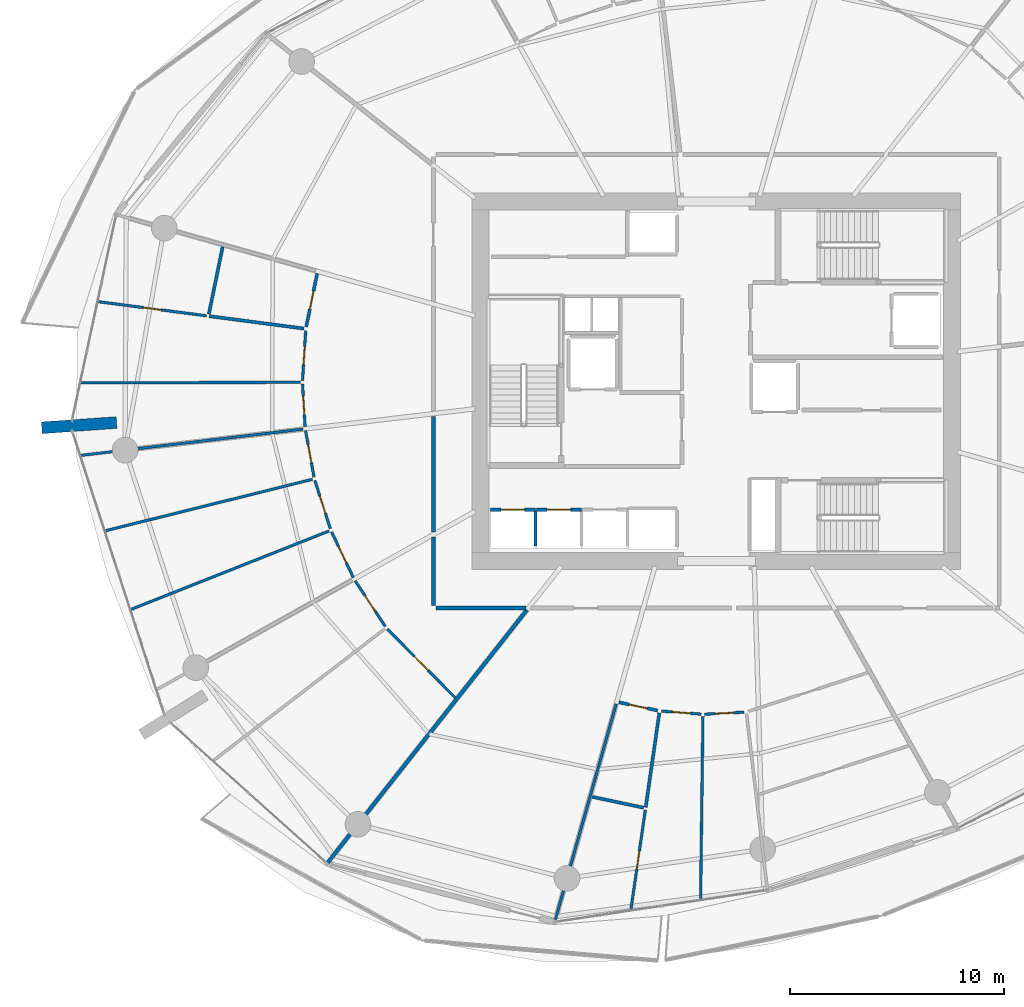
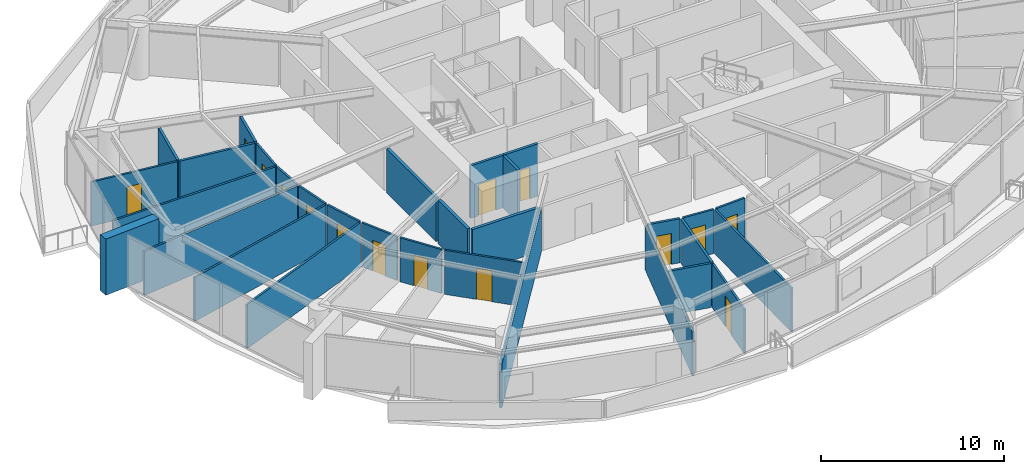
# One storey, part 11 of 23: 31 walls, 15 doors, 15 openings.
"""IFC4 building model written with IfcOpenShell, lengths in metres."""

from ifc_helpers import new_model, si_unit, direction, frame, frame_2d, origin, place, context, subcontext, project, spatial, rectangle, extrude, material, layer, layer_set, type_object, element, fill, save


model = new_model("IFC4")

# Units and contexts
model_context = context("Model", 3, precision=1e-05, world=origin(), true_north=direction((0.0, 1.0)))
body_context = subcontext(model_context, "Body", "Model", "MODEL_VIEW")
ifc_project = project(units=[si_unit("LENGTHUNIT", "METRE"), si_unit("AREAUNIT", "SQUARE_METRE"), si_unit("VOLUMEUNIT", "CUBIC_METRE"), si_unit("PLANEANGLEUNIT", "RADIAN"), si_unit("MASSUNIT", "GRAM", prefix="KILO")], contexts=[model_context])

# Site, building, storey
site_placement = place(None, origin())
site = spatial("IfcSite", under=ifc_project, at=site_placement, CompositionType="ELEMENT")
building_placement = place(site_placement, origin())
building = spatial("IfcBuilding", under=site, at=building_placement, Name="Kazma Halo Residences", CompositionType="ELEMENT")
storey_placement = place(building_placement, frame((0.0, 0.0, 101.39990234375)))
storey = spatial("IfcBuildingStorey", under=building, at=storey_placement, Name="L25", CompositionType="ELEMENT", Elevation=101.39990234375)

# Walls
ifc_material_1 = material(Name="Pale Concrete C60/75", Category="concrete")
ifc_layer_1 = layer(ifc_material_1, 0.550048828125)
ifc_layer_set_1 = layer_set([ifc_layer_1], Name="Pale Concrete C60/75")
wall_type_1 = type_object("IfcWallType", Name="WL-BLADE-550", PredefinedType="SOLIDWALL", material=ifc_layer_set_1)
wall_1_placement = place(storey_placement, frame((20.393798828125, 40.069580078125, 0.0), z_axis=(0.0, 0.0, 1.0), x_axis=(-0.997564163539, -0.069754853754, 0.0)))
element("IfcWall", 1, at=wall_1_placement, inside=storey, type_object=wall_type_1, Name="L25 pale concrete structural blade fin wall BW-02", PredefinedType="SOLIDWALL", context=body_context, shape_type="SweptSolid", body=[
    extrude(rectangle(XDim=3.5, YDim=0.550048828125, at=frame_2d((1.75, 0.0))), origin(), (0.0, 0.0, 1.0), 3.75),
])
ifc_material_2 = material(Name="Acoustic Twin-Stud Gypsum")
ifc_layer_2 = layer(ifc_material_2, 0.179931640625)
ifc_layer_set_2 = layer_set([ifc_layer_2], Name="Acoustic Twin-Stud Gypsum")
wall_type_2 = type_object("IfcWallType", Name="WL-DEM-180", PredefinedType="PARTITIONING", material=ifc_layer_set_2)
wall_2_placement = place(storey_placement, frame((39.575439453125, 31.313720703125, 0.0), z_axis=(0.0, 0.0, 1.0), x_axis=(-0.619083417853, -0.785325233098, 0.0)))
element("IfcWall", 2, at=wall_2_placement, inside=storey, type_object=wall_type_2, Name="L25 apartment demising radial wall 09", PredefinedType="PARTITIONING", context=body_context, shape_type="SweptSolid", body=[
    extrude(rectangle(XDim=15.063232421875, YDim=0.179931640625, at=frame_2d((7.53173828125, 0.0))), origin(), (0.0, 0.0, 1.0), 2.940185546875),
])
wall_3_placement = place(storey_placement, frame((35.199951171875, 40.364990234375, 0.0), z_axis=(0.0, 0.0, 1.0), x_axis=(0.0, -1.0, 0.0)))
element("IfcWall", 3, at=wall_3_placement, inside=storey, type_object=wall_type_2, Name="L25 Apartment 1 inner wall 7", PredefinedType="PARTITIONING", context=body_context, shape_type="SweptSolid", body=[
    extrude(rectangle(XDim=5.413330078125, YDim=0.179931640625, at=frame_2d((2.70654296875, 0.0))), origin(), (0.0, 0.0, 1.0), 2.940185546875),
])
wall_4_placement = place(storey_placement, frame((35.199951171875, 34.711669921875, 0.0), z_axis=(0.0, 0.0, 1.0), x_axis=(0.0, -1.0, 0.0)))
element("IfcWall", 4, at=wall_4_placement, inside=storey, type_object=wall_type_2, Name="L25 Apartment 1 inner wall 8", PredefinedType="PARTITIONING", context=body_context, shape_type="SweptSolid", body=[
    extrude(rectangle(XDim=3.191650390625, YDim=0.179931640625, at=frame_2d((1.595703125, 0.0))), origin(), (0.0, 0.0, 1.0), 2.940185546875),
])
wall_5_placement = place(storey_placement, frame((35.320068359375, 31.39990234375, 0.0), z_axis=(0.0, 0.0, 1.0), x_axis=(1.0, 0.0, 0.0)))
element("IfcWall", 5, at=wall_5_placement, inside=storey, type_object=wall_type_2, Name="L25 Apartment 1 inner wall 8", PredefinedType="PARTITIONING", context=body_context, shape_type="SweptSolid", body=[
    extrude(rectangle(XDim=4.20361328125, YDim=0.179931640625, at=frame_2d((2.101806640625, 0.0))), origin(), (0.0, 0.0, 1.0), 2.940185546875),
])

# Wall, opening, door
ifc_material_3 = material(Name="Fire-Rated Blockwork Masonry", Category="masonry")
ifc_layer_3 = layer(ifc_material_3, 0.199951171875)
ifc_layer_set_3 = layer_set([ifc_layer_3], Name="Fire-Rated Blockwork Masonry")
wall_type_3 = type_object("IfcWallType", Name="WL-FLB-200", PredefinedType="PARTITIONING", material=ifc_layer_set_3)
wall_6_placement = place(storey_placement, frame((37.864990234375, 36.0048828125, 0.0), z_axis=(0.0, 0.0, 1.0), x_axis=(1.0, 0.0, 0.0)))
wall_6 = element("IfcWall", 6, at=wall_6_placement, inside=storey, type_object=wall_type_3, Name="L25 lift shaft PL-01 front wall", PredefinedType="PARTITIONING", context=body_context, shape_type="SweptSolid", body=[
    extrude(rectangle(XDim=2.110107421875, YDim=0.159912109375, at=frame_2d((1.05517578125, 0.0))), origin(), (0.0, 0.0, 1.0), 3.5),
])
opening_1_placement = place(wall_6_placement, frame((0.5048828125, 0.0, 0.0)))
opening_1 = element("IfcOpeningElement", 7, at=opening_1_placement, cuts=wall_6, Name="Opening LD-PL-01", PredefinedType="OPENING", context=body_context, shape_type="SweptSolid", body=[
    extrude(rectangle(XDim=1.10009765625, YDim=2.10009765625, at=frame_2d((0.550048828125, 1.050048828125))), frame((0.0, 0.08984375, 0.0), z_axis=(0.0, -1.0, 0.0), x_axis=(1.0, 0.0, 0.0)), (0.0, 0.0, 1.0), 0.179931640625),
])
ifc_material_4 = material(Name="Stainless Steel Fire-Rated", Category="steel")
door_type_1 = type_object("IfcDoorType", Name="DR-LIFT-SLD-1100", OperationType="DOUBLE_DOOR_SLIDING", PredefinedType="DOOR", material=ifc_material_4)
door_1_placement = place(opening_1_placement, origin())
door_1 = element("IfcDoor", 8, at=door_1_placement, inside=storey, type_object=door_type_1, Name="L25 lift PL-01 sliding landing door", OperationType="DOUBLE_DOOR_SLIDING", OverallHeight=2.10009765625, OverallWidth=1.10009765625, PredefinedType="DOOR", context=body_context, shape_type="SweptSolid", body=[
    extrude(rectangle(XDim=1.10009765625, YDim=2.10009765625, at=frame_2d((0.550048828125, 1.050048828125))), frame((0.0, 0.02490234375, 0.0), z_axis=(0.0, -1.0, 0.0), x_axis=(1.0, 0.0, 0.0)), (0.0, 0.0, 1.0), 0.050048828125),
])
fill(opening_1, door_1)

# Wall
wall_7_placement = place(storey_placement, frame((39.97509765625, 34.294921875, 0.0), z_axis=(0.0, 0.0, 1.0), x_axis=(0.0, 1.0, 0.0)))
element("IfcWall", 9, at=wall_7_placement, inside=storey, type_object=wall_type_3, Name="L25 lift shaft PL-01 side wall E", PredefinedType="PARTITIONING", context=body_context, shape_type="SweptSolid", body=[
    extrude(rectangle(XDim=1.610107421875, YDim=0.159912109375, at=frame_2d((0.80517578125, 0.0))), origin(), (0.0, 0.0, 1.0), 3.5),
])

# Wall, opening, door
wall_8_placement = place(storey_placement, frame((40.014892578125, 36.0048828125, 0.0), z_axis=(0.0, 0.0, 1.0), x_axis=(1.0, 0.0, 0.0)))
wall_8 = element("IfcWall", 10, at=wall_8_placement, inside=storey, type_object=wall_type_3, Name="L25 lift shaft PL-02 front wall", PredefinedType="PARTITIONING", context=body_context, shape_type="SweptSolid", body=[
    extrude(rectangle(XDim=2.110107421875, YDim=0.159912109375, at=frame_2d((1.05517578125, 0.0))), origin(), (0.0, 0.0, 1.0), 3.5),
])
opening_2_placement = place(wall_8_placement, frame((0.5048828125, 0.0, 0.0)))
opening_2 = element("IfcOpeningElement", 11, at=opening_2_placement, cuts=wall_8, Name="Opening LD-PL-02", PredefinedType="OPENING", context=body_context, shape_type="SweptSolid", body=[
    extrude(rectangle(XDim=1.10009765625, YDim=2.10009765625, at=frame_2d((0.550048828125, 1.050048828125))), frame((0.0, 0.08984375, 0.0), z_axis=(0.0, -1.0, 0.0), x_axis=(1.0, 0.0, 0.0)), (0.0, 0.0, 1.0), 0.179931640625),
])
door_2_placement = place(opening_2_placement, origin())
door_2 = element("IfcDoor", 12, at=door_2_placement, inside=storey, type_object=door_type_1, Name="L25 lift PL-02 sliding landing door", OperationType="DOUBLE_DOOR_SLIDING", OverallHeight=2.10009765625, OverallWidth=1.10009765625, PredefinedType="DOOR", context=body_context, shape_type="SweptSolid", body=[
    extrude(rectangle(XDim=1.10009765625, YDim=2.10009765625, at=frame_2d((0.550048828125, 1.050048828125))), frame((0.0, 0.02490234375, 0.0), z_axis=(0.0, -1.0, 0.0), x_axis=(1.0, 0.0, 0.0)), (0.0, 0.0, 1.0), 0.050048828125),
])
fill(opening_2, door_2)

ifc_material_5 = material(Name="Gypsum Plasterboard Partition")
ifc_layer_4 = layer(ifc_material_5, 0.125)
ifc_layer_set_4 = layer_set([ifc_layer_4], Name="Gypsum Plasterboard Partition")
wall_type_4 = type_object("IfcWallType", Name="WL-PART-125", PredefinedType="PARTITIONING", material=ifc_layer_set_4)
wall_9_placement = place(storey_placement, frame((24.60009765625, 45.058837890625, 0.0), z_axis=(0.0, 0.0, 1.0), x_axis=(-0.991566000337, 0.129602727501, 0.0)))
wall_9 = element("IfcWall", 13, at=wall_9_placement, inside=storey, type_object=wall_type_4, Name="L25 Apartment 1 Utility Laundry Room partition wall", PredefinedType="PARTITIONING", context=body_context, shape_type="SweptSolid", body=[
    extrude(rectangle(XDim=5.108642578125, YDim=0.125, at=frame_2d((2.55419921875, 0.0))), origin(), (0.0, 0.0, 1.0), 2.940185546875),
])
opening_3_placement = place(wall_9_placement, frame((2.12939453125, 0.0, 0.0)))
opening_3 = element("IfcOpeningElement", 14, at=opening_3_placement, cuts=wall_9, Name="Opening DB-900", PredefinedType="OPENING", context=body_context, shape_type="SweptSolid", body=[
    extrude(rectangle(XDim=0.85009765625, YDim=2.06005859375, at=frame_2d((0.425048828125, 1.030029296875))), frame((0.0, 0.072509765625, 0.0), z_axis=(0.0, -1.0, 0.0), x_axis=(1.0, 0.0, 0.0)), (0.0, 0.0, 1.0), 0.14501953125),
])
ifc_material_6 = material(Name="Moisture-Sealed Timber Leaf", Category="wood")
door_type_2 = type_object("IfcDoorType", Name="DR-BTH-900", OperationType="NOTDEFINED", PredefinedType="DOOR", material=ifc_material_6)
door_3_placement = place(opening_3_placement, origin())
door_3 = element("IfcDoor", 15, at=door_3_placement, inside=storey, type_object=door_type_2, Name="L25 Apartment 1 Utility Laundry Room door", OperationType="SINGLE_SWING_LEFT", OverallHeight=2.06005859375, OverallWidth=0.85009765625, PredefinedType="DOOR", context=body_context, shape_type="SweptSolid", body=[
    extrude(rectangle(XDim=0.85009765625, YDim=2.06005859375, at=frame_2d((0.425048828125, 1.030029296875))), frame((0.0, 0.02490234375, 0.0), z_axis=(0.0, -1.0, 0.0), x_axis=(1.0, 0.0, 0.0)), (0.0, 0.0, 1.0), 0.050048828125),
])
fill(opening_3, door_3)

# Wall
wall_10_placement = place(storey_placement, frame((28.9912109375, 41.950927734375, 0.0), z_axis=(0.0, 0.0, 1.0), x_axis=(-0.999996643903, -0.002590788034, 0.0)))
element("IfcWall", 16, at=wall_10_placement, inside=storey, type_object=wall_type_4, Name="L25 Apartment 1 suite divider 6", PredefinedType="PARTITIONING", context=body_context, shape_type="SweptSolid", body=[
    extrude(rectangle(XDim=10.271484375, YDim=0.125, at=frame_2d((5.1357421875, 0.0))), origin(), (0.0, 0.0, 1.0), 2.940185546875),
])

# Wall, opening, door
wall_11_placement = place(storey_placement, frame((29.23486328125, 44.3623046875, 0.0), z_axis=(0.0, 0.0, 1.0), x_axis=(-0.063647003528, -0.99797247404, 0.0)))
wall_11 = element("IfcWall", 17, at=wall_11_placement, inside=storey, type_object=wall_type_4, Name="L25 Apartment 1 Gourmet Kitchen hall wall", PredefinedType="PARTITIONING", context=body_context, shape_type="SweptSolid", body=[
    extrude(rectangle(XDim=2.3359375, YDim=0.125, at=frame_2d((1.16796875, 0.0))), origin(), (0.0, 0.0, 1.0), 2.940185546875),
])
opening_4_placement = place(wall_11_placement, frame((0.7431640625, 0.0, 0.0)))
opening_4 = element("IfcOpeningElement", 18, at=opening_4_placement, cuts=wall_11, Name="Opening DB-900", PredefinedType="OPENING", context=body_context, shape_type="SweptSolid", body=[
    extrude(rectangle(XDim=0.85009765625, YDim=2.06005859375, at=frame_2d((0.425048828125, 1.030029296875))), frame((0.0, 0.072509765625, 0.0), z_axis=(0.0, -1.0, 0.0), x_axis=(1.0, 0.0, 0.0)), (0.0, 0.0, 1.0), 0.14501953125),
])
door_4_placement = place(opening_4_placement, origin())
door_4 = element("IfcDoor", 19, at=door_4_placement, inside=storey, type_object=door_type_2, Name="L25 Apartment 1 Gourmet Kitchen door", OperationType="SINGLE_SWING_RIGHT", OverallHeight=2.06005859375, OverallWidth=0.85009765625, PredefinedType="DOOR", context=body_context, shape_type="SweptSolid", body=[
    extrude(rectangle(XDim=0.85009765625, YDim=2.06005859375, at=frame_2d((0.425048828125, 1.030029296875))), frame((0.0, 0.02490234375, 0.0), z_axis=(0.0, -1.0, 0.0), x_axis=(1.0, 0.0, 0.0)), (0.0, 0.0, 1.0), 0.050048828125),
])
fill(opening_4, door_4)

wall_12_placement = place(storey_placement, frame((29.0859375, 41.87109375, 0.0), z_axis=(0.0, 0.0, 1.0), x_axis=(0.060104090143, -0.99819211495, 0.0)))
wall_12 = element("IfcWall", 20, at=wall_12_placement, inside=storey, type_object=wall_type_4, Name="L25 Apartment 1 Primary Bedroom hall wall", PredefinedType="PARTITIONING", context=body_context, shape_type="SweptSolid", body=[
    extrude(rectangle(XDim=1.99853515625, YDim=0.125, at=frame_2d((0.999267578125, 0.0))), origin(), (0.0, 0.0, 1.0), 2.940185546875),
])
opening_5_placement = place(wall_12_placement, frame((0.574462890625, 0.0, 0.0)))
opening_5 = element("IfcOpeningElement", 21, at=opening_5_placement, cuts=wall_12, Name="Opening DB-900", PredefinedType="OPENING", context=body_context, shape_type="SweptSolid", body=[
    extrude(rectangle(XDim=0.85009765625, YDim=2.06005859375, at=frame_2d((0.425048828125, 1.030029296875))), frame((0.0, 0.072509765625, 0.0), z_axis=(0.0, -1.0, 0.0), x_axis=(1.0, 0.0, 0.0)), (0.0, 0.0, 1.0), 0.14501953125),
])
door_5_placement = place(opening_5_placement, origin())
door_5 = element("IfcDoor", 22, at=door_5_placement, inside=storey, type_object=door_type_2, Name="L25 Apartment 1 Primary Bedroom door", OperationType="SINGLE_SWING_LEFT", OverallHeight=2.06005859375, OverallWidth=0.85009765625, PredefinedType="DOOR", context=body_context, shape_type="SweptSolid", body=[
    extrude(rectangle(XDim=0.85009765625, YDim=2.06005859375, at=frame_2d((0.425048828125, 1.030029296875))), frame((0.0, 0.02490234375, 0.0), z_axis=(0.0, -1.0, 0.0), x_axis=(1.0, 0.0, 0.0)), (0.0, 0.0, 1.0), 0.050048828125),
])
fill(opening_5, door_5)

# Walls
wall_13_placement = place(storey_placement, frame((29.11279296875, 39.764404296875, 0.0), z_axis=(0.0, 0.0, 1.0), x_axis=(-0.993070875002, -0.117516965677, 0.0)))
element("IfcWall", 23, at=wall_13_placement, inside=storey, type_object=wall_type_4, Name="L25 Apartment 1 radial partition 7", PredefinedType="PARTITIONING", context=body_context, shape_type="SweptSolid", body=[
    extrude(rectangle(XDim=10.460205078125, YDim=0.125, at=frame_2d((5.22998046875, 0.0))), origin(), (0.0, 0.0, 1.0), 2.940185546875),
])
wall_14_placement = place(storey_placement, frame((29.5517578125, 37.41748046875, 0.0), z_axis=(0.0, 0.0, 1.0), x_axis=(-0.970504192203, -0.241084244437, 0.0)))
element("IfcWall", 24, at=wall_14_placement, inside=storey, type_object=wall_type_4, Name="L25 Apartment 1 bay wall 1 7", PredefinedType="PARTITIONING", context=body_context, shape_type="SweptSolid", body=[
    extrude(rectangle(XDim=9.975830078125, YDim=0.125, at=frame_2d((4.98779296875, 0.0))), origin(), (0.0, 0.0, 1.0), 2.940185546875),
])
wall_15_placement = place(storey_placement, frame((30.325927734375, 35.00244140625, 0.0), z_axis=(0.0, 0.0, 1.0), x_axis=(-0.929777602375, -0.368121732748, 0.0)))
element("IfcWall", 25, at=wall_15_placement, inside=storey, type_object=wall_type_4, Name="L25 Apartment 1 bay wall 2 7", PredefinedType="PARTITIONING", context=body_context, shape_type="SweptSolid", body=[
    extrude(rectangle(XDim=9.960693359375, YDim=0.125, at=frame_2d((4.98046875, 0.0))), origin(), (0.0, 0.0, 1.0), 2.940185546875),
])

# Wall, opening, door
wall_16_placement = place(storey_placement, frame((29.2265625, 39.697509765625, 0.0), z_axis=(0.0, 0.0, 1.0), x_axis=(0.179602920825, -0.983739188419, 0.0)))
wall_16 = element("IfcWall", 26, at=wall_16_placement, inside=storey, type_object=wall_type_4, Name="L25 Apartment 1 East Bedroom hall wall", PredefinedType="PARTITIONING", context=body_context, shape_type="SweptSolid", body=[
    extrude(rectangle(XDim=2.2158203125, YDim=0.125, at=frame_2d((1.10791015625, 0.0))), origin(), (0.0, 0.0, 1.0), 2.940185546875),
])
opening_6_placement = place(wall_16_placement, frame((0.682861328125, 0.0, 0.0)))
opening_6 = element("IfcOpeningElement", 27, at=opening_6_placement, cuts=wall_16, Name="Opening DB-900", PredefinedType="OPENING", context=body_context, shape_type="SweptSolid", body=[
    extrude(rectangle(XDim=0.85009765625, YDim=2.06005859375, at=frame_2d((0.425048828125, 1.030029296875))), frame((0.0, 0.072509765625, 0.0), z_axis=(0.0, -1.0, 0.0), x_axis=(1.0, 0.0, 0.0)), (0.0, 0.0, 1.0), 0.14501953125),
])
door_6_placement = place(opening_6_placement, origin())
door_6 = element("IfcDoor", 28, at=door_6_placement, inside=storey, type_object=door_type_2, Name="L25 Apartment 1 East Bedroom door", OperationType="SINGLE_SWING_RIGHT", OverallHeight=2.06005859375, OverallWidth=0.85009765625, PredefinedType="DOOR", context=body_context, shape_type="SweptSolid", body=[
    extrude(rectangle(XDim=0.85009765625, YDim=2.06005859375, at=frame_2d((0.425048828125, 1.030029296875))), frame((0.0, 0.02490234375, 0.0), z_axis=(0.0, -1.0, 0.0), x_axis=(1.0, 0.0, 0.0)), (0.0, 0.0, 1.0), 0.050048828125),
])
fill(opening_6, door_6)

wall_17_placement = place(storey_placement, frame((29.663330078125, 37.36279296875, 0.0), z_axis=(0.0, 0.0, 1.0), x_axis=(0.305393983716, -0.952226083822, 0.0)))
wall_17 = element("IfcWall", 29, at=wall_17_placement, inside=storey, type_object=wall_type_4, Name="L25 Apartment 1 West Study hall wall", PredefinedType="PARTITIONING", context=body_context, shape_type="SweptSolid", body=[
    extrude(rectangle(XDim=2.364013671875, YDim=0.125, at=frame_2d((1.18212890625, 0.0))), origin(), (0.0, 0.0, 1.0), 2.940185546875),
])
opening_7_placement = place(wall_17_placement, frame((0.757080078125, 0.0, 0.0)))
opening_7 = element("IfcOpeningElement", 30, at=opening_7_placement, cuts=wall_17, Name="Opening DB-900", PredefinedType="OPENING", context=body_context, shape_type="SweptSolid", body=[
    extrude(rectangle(XDim=0.85009765625, YDim=2.06005859375, at=frame_2d((0.425048828125, 1.030029296875))), frame((0.0, 0.072509765625, 0.0), z_axis=(0.0, -1.0, 0.0), x_axis=(1.0, 0.0, 0.0)), (0.0, 0.0, 1.0), 0.14501953125),
])
door_7_placement = place(opening_7_placement, origin())
door_7 = element("IfcDoor", 31, at=door_7_placement, inside=storey, type_object=door_type_2, Name="L25 Apartment 1 West Study door", OperationType="SINGLE_SWING_LEFT", OverallHeight=2.06005859375, OverallWidth=0.85009765625, PredefinedType="DOOR", context=body_context, shape_type="SweptSolid", body=[
    extrude(rectangle(XDim=0.85009765625, YDim=2.06005859375, at=frame_2d((0.425048828125, 1.030029296875))), frame((0.0, 0.02490234375, 0.0), z_axis=(0.0, -1.0, 0.0), x_axis=(1.0, 0.0, 0.0)), (0.0, 0.0, 1.0), 0.050048828125),
])
fill(opening_7, door_7)

wall_18_placement = place(storey_placement, frame((30.44384765625, 34.963134765625, 0.0), z_axis=(0.0, 0.0, 1.0), x_axis=(0.429404357622, -0.903112339443, 0.0)))
wall_18 = element("IfcWall", 32, at=wall_18_placement, inside=storey, type_object=wall_type_4, Name="L25 Apartment 1 North Bedroom hall wall", PredefinedType="PARTITIONING", context=body_context, shape_type="SweptSolid", body=[
    extrude(rectangle(XDim=2.364013671875, YDim=0.125, at=frame_2d((1.18212890625, 0.0))), origin(), (0.0, 0.0, 1.0), 2.940185546875),
])
opening_8_placement = place(wall_18_placement, frame((0.757080078125, 0.0, 0.0)))
opening_8 = element("IfcOpeningElement", 33, at=opening_8_placement, cuts=wall_18, Name="Opening DB-900", PredefinedType="OPENING", context=body_context, shape_type="SweptSolid", body=[
    extrude(rectangle(XDim=0.85009765625, YDim=2.06005859375, at=frame_2d((0.425048828125, 1.030029296875))), frame((0.0, 0.072509765625, 0.0), z_axis=(0.0, -1.0, 0.0), x_axis=(1.0, 0.0, 0.0)), (0.0, 0.0, 1.0), 0.14501953125),
])
door_8_placement = place(opening_8_placement, origin())
door_8 = element("IfcDoor", 34, at=door_8_placement, inside=storey, type_object=door_type_2, Name="L25 Apartment 1 North Bedroom door", OperationType="SINGLE_SWING_RIGHT", OverallHeight=2.06005859375, OverallWidth=0.85009765625, PredefinedType="DOOR", context=body_context, shape_type="SweptSolid", body=[
    extrude(rectangle(XDim=0.85009765625, YDim=2.06005859375, at=frame_2d((0.425048828125, 1.030029296875))), frame((0.0, 0.02490234375, 0.0), z_axis=(0.0, -1.0, 0.0), x_axis=(1.0, 0.0, 0.0)), (0.0, 0.0, 1.0), 0.050048828125),
])
fill(opening_8, door_8)

wall_19_placement = place(storey_placement, frame((31.548095703125, 32.67236328125, 0.0), z_axis=(0.0, 0.0, 1.0), x_axis=(0.550387635728, -0.834909246827, 0.0)))
wall_19 = element("IfcWall", 35, at=wall_19_placement, inside=storey, type_object=wall_type_4, Name="L25 Apartment 1 South Wine Pantry Store hall wall", PredefinedType="PARTITIONING", context=body_context, shape_type="SweptSolid", body=[
    extrude(rectangle(XDim=2.552001953125, YDim=0.125, at=frame_2d((1.27587890625, 0.0))), origin(), (0.0, 0.0, 1.0), 2.940185546875),
])
opening_9_placement = place(wall_19_placement, frame((0.850830078125, 0.0, 0.0)))
opening_9 = element("IfcOpeningElement", 36, at=opening_9_placement, cuts=wall_19, Name="Opening DB-900", PredefinedType="OPENING", context=body_context, shape_type="SweptSolid", body=[
    extrude(rectangle(XDim=0.85009765625, YDim=2.06005859375, at=frame_2d((0.425048828125, 1.030029296875))), frame((0.0, 0.072509765625, 0.0), z_axis=(0.0, -1.0, 0.0), x_axis=(1.0, 0.0, 0.0)), (0.0, 0.0, 1.0), 0.14501953125),
])
door_9_placement = place(opening_9_placement, origin())
door_9 = element("IfcDoor", 37, at=door_9_placement, inside=storey, type_object=door_type_2, Name="L25 Apartment 1 South Wine Pantry Store door", OperationType="SINGLE_SWING_RIGHT", OverallHeight=2.06005859375, OverallWidth=0.85009765625, PredefinedType="DOOR", context=body_context, shape_type="SweptSolid", body=[
    extrude(rectangle(XDim=0.85009765625, YDim=2.06005859375, at=frame_2d((0.425048828125, 1.030029296875))), frame((0.0, 0.02490234375, 0.0), z_axis=(0.0, -1.0, 0.0), x_axis=(1.0, 0.0, 0.0)), (0.0, 0.0, 1.0), 0.050048828125),
])
fill(opening_9, door_9)

wall_20_placement = place(storey_placement, frame((33.052734375, 30.418212890625, 0.0), z_axis=(0.0, 0.0, 1.0), x_axis=(0.702647387595, -0.711538227157, 0.0)))
wall_20 = element("IfcWall", 38, at=wall_20_placement, inside=storey, type_object=wall_type_4, Name="L25 Apartment 1 Inner Formal Dining Room hall wall", PredefinedType="PARTITIONING", context=body_context, shape_type="SweptSolid", body=[
    extrude(rectangle(XDim=4.50341796875, YDim=0.125, at=frame_2d((2.251708984375, 0.0))), origin(), (0.0, 0.0, 1.0), 2.940185546875),
])
opening_10_placement = place(wall_20_placement, frame((1.8017578125, 0.0, 0.0)))
opening_10 = element("IfcOpeningElement", 39, at=opening_10_placement, cuts=wall_20, Name="Opening DI-950", PredefinedType="OPENING", context=body_context, shape_type="SweptSolid", body=[
    extrude(rectangle(XDim=0.89990234375, YDim=2.080078125, at=frame_2d((0.449951171875, 1.0400390625))), frame((0.0, 0.072509765625, 0.0), z_axis=(0.0, -1.0, 0.0), x_axis=(1.0, 0.0, 0.0)), (0.0, 0.0, 1.0), 0.14501953125),
])
ifc_material_7 = material(Name="Timber Veneer Flush Leaf", Category="wood")
door_type_3 = type_object("IfcDoorType", Name="DR-INT-950", OperationType="NOTDEFINED", PredefinedType="DOOR", material=ifc_material_7)
door_10_placement = place(opening_10_placement, origin())
door_10 = element("IfcDoor", 40, at=door_10_placement, inside=storey, type_object=door_type_3, Name="L25 Apartment 1 Inner Formal Dining Room door", OperationType="SINGLE_SWING_LEFT", OverallHeight=2.080078125, OverallWidth=0.89990234375, PredefinedType="DOOR", context=body_context, shape_type="SweptSolid", body=[
    extrude(rectangle(XDim=0.89990234375, YDim=2.080078125, at=frame_2d((0.449951171875, 1.0400390625))), frame((0.0, 0.02490234375, 0.0), z_axis=(0.0, -1.0, 0.0), x_axis=(1.0, 0.0, 0.0)), (0.0, 0.0, 1.0), 0.050048828125),
])
fill(opening_10, door_10)

# Wall
wall_21_placement = place(storey_placement, frame((43.7470703125, 26.92041015625, 0.0), z_axis=(0.0, 0.0, 1.0), x_axis=(-0.271445765154, -0.962453737371, 0.0)))
element("IfcWall", 41, at=wall_21_placement, inside=storey, type_object=wall_type_4, Name="L25 Apartment 2 radial partition 10", PredefinedType="PARTITIONING", context=body_context, shape_type="SweptSolid", body=[
    extrude(rectangle(XDim=10.469970703125, YDim=0.125, at=frame_2d((5.23486328125, 0.0))), origin(), (0.0, 0.0, 1.0), 2.940185546875),
])

# Wall, opening, door
wall_22_placement = place(storey_placement, frame((45.107666015625, 21.959716796875, 0.0), z_axis=(0.0, 0.0, 1.0), x_axis=(-0.142860663544, -0.989742810437, 0.0)))
wall_22 = element("IfcWall", 42, at=wall_22_placement, inside=storey, type_object=wall_type_4, Name="L25 Apartment 2 Household Store Room partition wall", PredefinedType="PARTITIONING", context=body_context, shape_type="SweptSolid", body=[
    extrude(rectangle(XDim=4.725341796875, YDim=0.125, at=frame_2d((2.36279296875, 0.0))), origin(), (0.0, 0.0, 1.0), 2.940185546875),
])
opening_11_placement = place(wall_22_placement, frame((1.9375, 0.0, 0.0)))
opening_11 = element("IfcOpeningElement", 43, at=opening_11_placement, cuts=wall_22, Name="Opening DB-900", PredefinedType="OPENING", context=body_context, shape_type="SweptSolid", body=[
    extrude(rectangle(XDim=0.85009765625, YDim=2.06005859375, at=frame_2d((0.425048828125, 1.030029296875))), frame((0.0, 0.072509765625, 0.0), z_axis=(0.0, -1.0, 0.0), x_axis=(1.0, 0.0, 0.0)), (0.0, 0.0, 1.0), 0.14501953125),
])
door_11_placement = place(opening_11_placement, origin())
door_11 = element("IfcDoor", 44, at=door_11_placement, inside=storey, type_object=door_type_2, Name="L25 Apartment 2 Household Store Room door", OperationType="SINGLE_SWING_LEFT", OverallHeight=2.06005859375, OverallWidth=0.85009765625, PredefinedType="DOOR", context=body_context, shape_type="SweptSolid", body=[
    extrude(rectangle(XDim=0.85009765625, YDim=2.06005859375, at=frame_2d((0.425048828125, 1.030029296875))), frame((0.0, 0.02490234375, 0.0), z_axis=(0.0, -1.0, 0.0), x_axis=(1.0, 0.0, 0.0)), (0.0, 0.0, 1.0), 0.050048828125),
])
fill(opening_11, door_11)

# Wall
wall_23_placement = place(storey_placement, frame((47.80029296875, 26.34326171875, 0.0), z_axis=(0.0, 0.0, 1.0), x_axis=(-0.012762129717, -0.999918560706, 0.0)))
element("IfcWall", 45, at=wall_23_placement, inside=storey, type_object=wall_type_4, Name="L25 Apartment 2 suite divider 10", PredefinedType="PARTITIONING", context=body_context, shape_type="SweptSolid", body=[
    extrude(rectangle(XDim=8.5703125, YDim=0.125, at=frame_2d((4.28515625, 0.0))), origin(), (0.0, 0.0, 1.0), 2.940185546875),
])

# Wall, opening, door
wall_24_placement = place(storey_placement, frame((45.865966796875, 26.584716796875, 0.0), z_axis=(0.0, 0.0, 1.0), x_axis=(0.996949395434, -0.078050643458, 0.0)))
wall_24 = element("IfcWall", 46, at=wall_24_placement, inside=storey, type_object=wall_type_4, Name="L25 Apartment 2 Gourmet Kitchen hall wall", PredefinedType="PARTITIONING", context=body_context, shape_type="SweptSolid", body=[
    extrude(rectangle(XDim=1.861083984375, YDim=0.125, at=frame_2d((0.9306640625, 0.0))), origin(), (0.0, 0.0, 1.0), 2.940185546875),
])
opening_12_placement = place(wall_24_placement, frame((0.505615234375, 0.0, 0.0)))
opening_12 = element("IfcOpeningElement", 47, at=opening_12_placement, cuts=wall_24, Name="Opening DB-900", PredefinedType="OPENING", context=body_context, shape_type="SweptSolid", body=[
    extrude(rectangle(XDim=0.85009765625, YDim=2.06005859375, at=frame_2d((0.425048828125, 1.030029296875))), frame((0.0, 0.072509765625, 0.0), z_axis=(0.0, -1.0, 0.0), x_axis=(1.0, 0.0, 0.0)), (0.0, 0.0, 1.0), 0.14501953125),
])
door_12_placement = place(opening_12_placement, origin())
door_12 = element("IfcDoor", 48, at=door_12_placement, inside=storey, type_object=door_type_2, Name="L25 Apartment 2 Gourmet Kitchen door", OperationType="SINGLE_SWING_RIGHT", OverallHeight=2.06005859375, OverallWidth=0.85009765625, PredefinedType="DOOR", context=body_context, shape_type="SweptSolid", body=[
    extrude(rectangle(XDim=0.85009765625, YDim=2.06005859375, at=frame_2d((0.425048828125, 1.030029296875))), frame((0.0, 0.02490234375, 0.0), z_axis=(0.0, -1.0, 0.0), x_axis=(1.0, 0.0, 0.0)), (0.0, 0.0, 1.0), 0.050048828125),
])
fill(opening_12, door_12)

wall_25_placement = place(storey_placement, frame((47.881103515625, 26.4375, 0.0), z_axis=(0.0, 0.0, 1.0), x_axis=(0.998621833411, 0.052482700343, 0.0)))
wall_25 = element("IfcWall", 49, at=wall_25_placement, inside=storey, type_object=wall_type_4, Name="L25 Apartment 2 Primary Bedroom hall wall", PredefinedType="PARTITIONING", context=body_context, shape_type="SweptSolid", body=[
    extrude(rectangle(XDim=1.851318359375, YDim=0.125, at=frame_2d((0.92578125, 0.0))), origin(), (0.0, 0.0, 1.0), 2.940185546875),
])
opening_13_placement = place(wall_25_placement, frame((0.50048828125, 0.0, 0.0)))
opening_13 = element("IfcOpeningElement", 50, at=opening_13_placement, cuts=wall_25, Name="Opening DB-900", PredefinedType="OPENING", context=body_context, shape_type="SweptSolid", body=[
    extrude(rectangle(XDim=0.85009765625, YDim=2.06005859375, at=frame_2d((0.425048828125, 1.030029296875))), frame((0.0, 0.072509765625, 0.0), z_axis=(0.0, -1.0, 0.0), x_axis=(1.0, 0.0, 0.0)), (0.0, 0.0, 1.0), 0.14501953125),
])
door_13_placement = place(opening_13_placement, origin())
door_13 = element("IfcDoor", 51, at=door_13_placement, inside=storey, type_object=door_type_2, Name="L25 Apartment 2 Primary Bedroom door", OperationType="SINGLE_SWING_LEFT", OverallHeight=2.06005859375, OverallWidth=0.85009765625, PredefinedType="DOOR", context=body_context, shape_type="SweptSolid", body=[
    extrude(rectangle(XDim=0.85009765625, YDim=2.06005859375, at=frame_2d((0.425048828125, 1.030029296875))), frame((0.0, 0.02490234375, 0.0), z_axis=(0.0, -1.0, 0.0), x_axis=(1.0, 0.0, 0.0)), (0.0, 0.0, 1.0), 0.050048828125),
])
fill(opening_13, door_13)

ifc_material_8 = material(Name="Moisture-Resistant Gypsum")
ifc_layer_5 = layer(ifc_material_8, 0.14990234375)
ifc_layer_set_5 = layer_set([ifc_layer_5], Name="Moisture-Resistant Gypsum")
wall_type_5 = type_object("IfcWallType", Name="WL-WET-150", PredefinedType="PARTITIONING", material=ifc_layer_set_5)
wall_26_placement = place(storey_placement, frame((29.771240234375, 47.037353515625, 0.0), z_axis=(0.0, 0.0, 1.0), x_axis=(-0.201031337284, -0.979584810739, 0.0)))
wall_26 = element("IfcWall", 52, at=wall_26_placement, inside=storey, type_object=wall_type_5, Name="L25 Apartment 1 Guest Bathroom hall wall", PredefinedType="PARTITIONING", context=body_context, shape_type="SweptSolid", body=[
    extrude(rectangle(XDim=2.549072265625, YDim=0.14990234375, at=frame_2d((1.2744140625, 0.0))), origin(), (0.0, 0.0, 1.0), 2.940185546875),
])
opening_14_placement = place(wall_26_placement, frame((0.849609375, 0.0, 0.0)))
opening_14 = element("IfcOpeningElement", 53, at=opening_14_placement, cuts=wall_26, Name="Opening DB-900", PredefinedType="OPENING", context=body_context, shape_type="SweptSolid", body=[
    extrude(rectangle(XDim=0.85009765625, YDim=2.06005859375, at=frame_2d((0.425048828125, 1.030029296875))), frame((0.0, 0.0849609375, 0.0), z_axis=(0.0, -1.0, 0.0), x_axis=(1.0, 0.0, 0.0)), (0.0, 0.0, 1.0), 0.169921875),
])
door_14_placement = place(opening_14_placement, origin())
door_14 = element("IfcDoor", 54, at=door_14_placement, inside=storey, type_object=door_type_2, Name="L25 Apartment 1 Guest Bathroom door", OperationType="SINGLE_SWING_RIGHT", OverallHeight=2.06005859375, OverallWidth=0.85009765625, PredefinedType="DOOR", context=body_context, shape_type="SweptSolid", body=[
    extrude(rectangle(XDim=0.85009765625, YDim=2.06005859375, at=frame_2d((0.425048828125, 1.030029296875))), frame((0.0, 0.02490234375, 0.0), z_axis=(0.0, -1.0, 0.0), x_axis=(1.0, 0.0, 0.0)), (0.0, 0.0, 1.0), 0.050048828125),
])
fill(opening_14, door_14)

# Walls
wall_27_placement = place(storey_placement, frame((25.353515625, 48.283203125, 0.0), z_axis=(0.0, 0.0, 1.0), x_axis=(-0.201037617238, -0.979583521939, 0.0)))
element("IfcWall", 55, at=wall_27_placement, inside=storey, type_object=wall_type_5, Name="L25 Apartment 1 Guest Bathroom back wall", PredefinedType="PARTITIONING", context=body_context, shape_type="SweptSolid", body=[
    extrude(rectangle(XDim=3.21337890625, YDim=0.14990234375, at=frame_2d((1.606689453125, 0.0))), origin(), (0.0, 0.0, 1.0), 2.940185546875),
])
wall_28_placement = place(storey_placement, frame((29.1513671875, 44.4638671875, 0.0), z_axis=(0.0, 0.0, 1.0), x_axis=(-0.991563130501, 0.129624682181, 0.0)))
element("IfcWall", 56, at=wall_28_placement, inside=storey, type_object=wall_type_5, Name="L25 Apartment 1 Guest Bathroom side wall", PredefinedType="PARTITIONING", context=body_context, shape_type="SweptSolid", body=[
    extrude(rectangle(XDim=4.4599609375, YDim=0.14990234375, at=frame_2d((2.22998046875, 0.0))), origin(), (0.0, 0.0, 1.0), 2.940185546875),
])

# Wall, opening, door
wall_29_placement = place(storey_placement, frame((43.8720703125, 26.99560546875, 0.0), z_axis=(0.0, 0.0, 1.0), x_axis=(0.978233316216, -0.207508021641, 0.0)))
wall_29 = element("IfcWall", 57, at=wall_29_placement, inside=storey, type_object=wall_type_5, Name="L25 Apartment 2 Guest Bathroom hall wall", PredefinedType="PARTITIONING", context=body_context, shape_type="SweptSolid", body=[
    extrude(rectangle(XDim=1.856689453125, YDim=0.14990234375, at=frame_2d((0.92822265625, 0.0))), origin(), (0.0, 0.0, 1.0), 2.940185546875),
])
opening_15_placement = place(wall_29_placement, frame((0.50341796875, 0.0, 0.0)))
opening_15 = element("IfcOpeningElement", 58, at=opening_15_placement, cuts=wall_29, Name="Opening DB-900", PredefinedType="OPENING", context=body_context, shape_type="SweptSolid", body=[
    extrude(rectangle(XDim=0.85009765625, YDim=2.06005859375, at=frame_2d((0.425048828125, 1.030029296875))), frame((0.0, 0.0849609375, 0.0), z_axis=(0.0, -1.0, 0.0), x_axis=(1.0, 0.0, 0.0)), (0.0, 0.0, 1.0), 0.169921875),
])
door_15_placement = place(opening_15_placement, origin())
door_15 = element("IfcDoor", 59, at=door_15_placement, inside=storey, type_object=door_type_2, Name="L25 Apartment 2 Guest Bathroom door", OperationType="SINGLE_SWING_RIGHT", OverallHeight=2.06005859375, OverallWidth=0.85009765625, PredefinedType="DOOR", context=body_context, shape_type="SweptSolid", body=[
    extrude(rectangle(XDim=0.85009765625, YDim=2.06005859375, at=frame_2d((0.425048828125, 1.030029296875))), frame((0.0, 0.02490234375, 0.0), z_axis=(0.0, -1.0, 0.0), x_axis=(1.0, 0.0, 0.0)), (0.0, 0.0, 1.0), 0.050048828125),
])
fill(opening_15, door_15)

# Walls
wall_30_placement = place(storey_placement, frame((42.626220703125, 22.577880859375, 0.0), z_axis=(0.0, 0.0, 1.0), x_axis=(0.978227408947, -0.207535867706, 0.0)))
element("IfcWall", 60, at=wall_30_placement, inside=storey, type_object=wall_type_5, Name="L25 Apartment 2 Guest Bathroom back wall", PredefinedType="PARTITIONING", context=body_context, shape_type="SweptSolid", body=[
    extrude(rectangle(XDim=2.459716796875, YDim=0.14990234375, at=frame_2d((1.22998046875, 0.0))), origin(), (0.0, 0.0, 1.0), 2.940185546875),
])
wall_31_placement = place(storey_placement, frame((45.76318359375, 26.50244140625, 0.0), z_axis=(0.0, 0.0, 1.0), x_axis=(-0.142823722461, -0.989748141853, 0.0)))
element("IfcWall", 61, at=wall_31_placement, inside=storey, type_object=wall_type_5, Name="L25 Apartment 2 Guest Bathroom side wall", PredefinedType="PARTITIONING", context=body_context, shape_type="SweptSolid", body=[
    extrude(rectangle(XDim=4.459716796875, YDim=0.14990234375, at=frame_2d((2.22998046875, 0.0))), origin(), (0.0, 0.0, 1.0), 2.940185546875),
])

save(model, "model.ifc")
